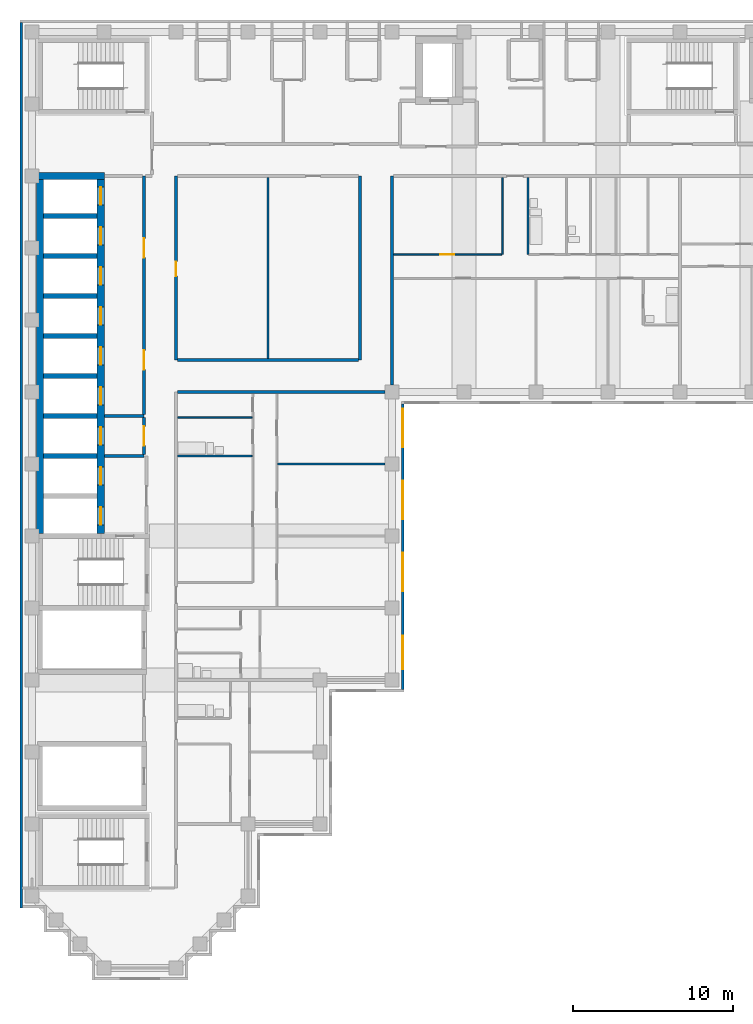
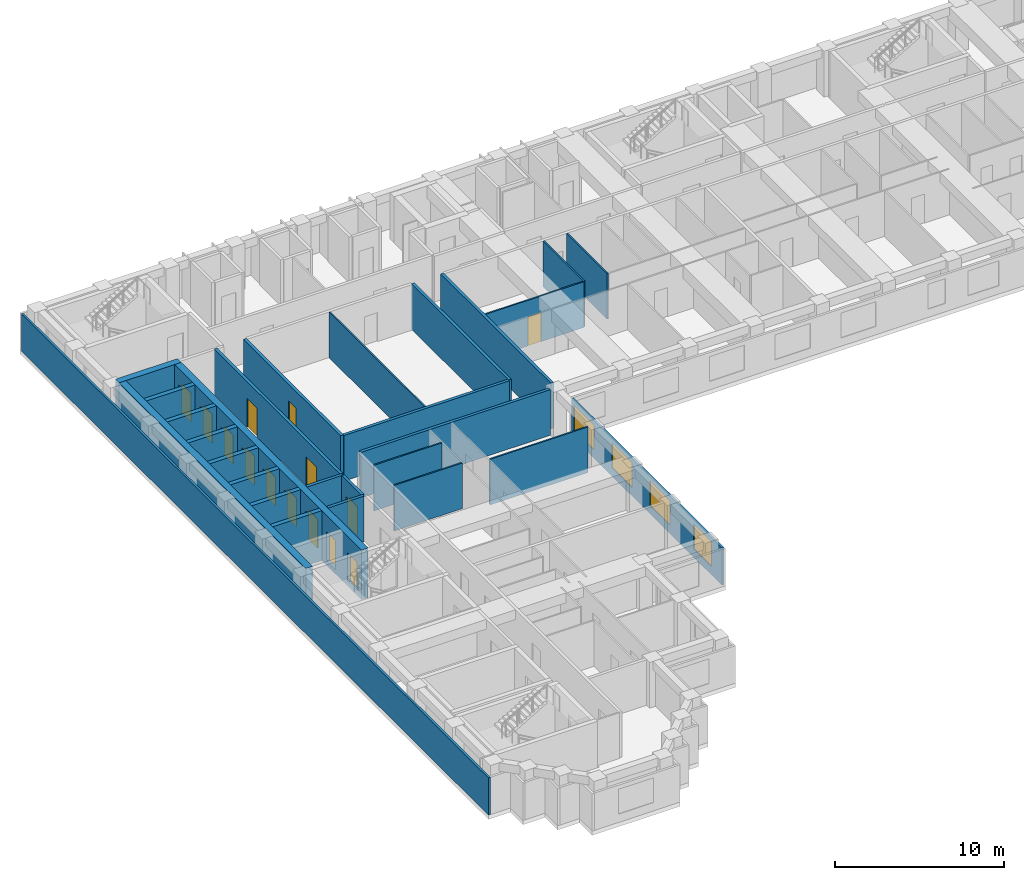
# One storey, part 4 of 11: 28 walls, 14 doors, 4 windows, 18 openings.
"""IFC4 building model written with IfcOpenShell, lengths in metres."""

from ifc_helpers import new_model, si_unit, direction, frame, frame_2d, origin, place, context, subcontext, project, spatial, rectangle, extrude, material, layer, layer_set, type_object, element, fill, save


model = new_model("IFC4")

# Units and contexts
model_context = context("Model", 3, precision=1e-05, world=origin(), true_north=direction((0.0, 1.0)))
body_context = subcontext(model_context, "Body", "Model", "MODEL_VIEW")
ifc_project = project(units=[si_unit("LENGTHUNIT", "METRE"), si_unit("AREAUNIT", "SQUARE_METRE"), si_unit("VOLUMEUNIT", "CUBIC_METRE"), si_unit("PLANEANGLEUNIT", "RADIAN"), si_unit("MASSUNIT", "GRAM", prefix="KILO")], contexts=[model_context])

# Site, building, storey
site_placement = place(None, origin())
site = spatial("IfcSite", under=ifc_project, at=site_placement, CompositionType="ELEMENT")
building_placement = place(site_placement, origin())
building = spatial("IfcBuilding", under=site, at=building_placement, Name="Firuza Court", CompositionType="ELEMENT")
storey_placement = place(building_placement, frame((0.0, 0.0, 179.0)))
storey = spatial("IfcBuildingStorey", under=building, at=storey_placement, Name="L45", CompositionType="ELEMENT", Elevation=179.0)

# Walls
ifc_material_1 = material(Name="Moisture-resistant gypsum board partition")
ifc_layer_1 = layer(ifc_material_1, 0.10009765625)
ifc_layer_set_1 = layer_set([ifc_layer_1], Name="Moisture-resistant gypsum board partition")
wall_type_1 = type_object("IfcWallType", Name="Bathroom partition 100", PredefinedType="PLUMBINGWALL", material=ifc_layer_set_1)
for number, where, z_axis, x_axis, name in (
    (1, (9.10009765625, 32.0, 0.0), (0.0, 0.0, 1.0), (1.0, 0.0, 0.0), "Bathroom partition 100 L45"),
    (2, (9.10009765625, 34.39990234375, 0.0), (0.0, 0.0, 1.0), (1.0, 0.0, 0.0), "Bathroom partition 100 L45"),
):
    element("IfcWall", number, at=place(storey_placement, frame(where, z_axis=z_axis, x_axis=x_axis)), inside=storey, type_object=wall_type_1, Name=name, PredefinedType="PLUMBINGWALL", context=body_context, shape_type="SweptSolid", body=[
        extrude(rectangle(XDim=4.64990234375, YDim=0.10009765625, at=frame_2d((2.324951171875, 0.0))), origin(), (0.0, 0.0, 1.0), 3.300048828125),
    ])
wall_1_placement = place(storey_placement, frame((31.0, 44.60009765625, 0.0), z_axis=(0.0, 0.0, 1.0), x_axis=(0.0, 1.0, 0.0)))
element("IfcWall", 3, at=wall_1_placement, inside=storey, type_object=wall_type_1, Name="Bathroom partition 100 L45", PredefinedType="PLUMBINGWALL", context=body_context, shape_type="SweptSolid", body=[
    extrude(rectangle(XDim=4.7998046875, YDim=0.10009765625, at=frame_2d((2.39990234375, 0.0))), origin(), (0.0, 0.0, 1.0), 3.300048828125),
])
ifc_material_2 = material(Name="Concrete C50/60", Category="concrete")
ifc_layer_2 = layer(ifc_material_2, 0.300048828125)
ifc_layer_set_2 = layer_set([ifc_layer_2], Name="Concrete C50/60")
wall_type_2 = type_object("IfcWallType", Name="Core wall 300 C50/60", PredefinedType="SHEAR", material=ifc_layer_set_2)
for number, where, z_axis, x_axis, name in (
    (4, (0.72509765625, 32.0, -0.300048828125), (0.0, 0.0, 1.0), (1.0, 0.0, 0.0), "Core wall lift shaft L45"),
    (5, (0.72509765625, 34.5, -0.300048828125), (0.0, 0.0, 1.0), (1.0, 0.0, 0.0), "Core wall lift shaft L45"),
    (6, (0.72509765625, 37.0, -0.300048828125), (0.0, 0.0, 1.0), (1.0, 0.0, 0.0), "Core wall lift shaft L45"),
    (7, (0.72509765625, 39.5, -0.300048828125), (0.0, 0.0, 1.0), (1.0, 0.0, 0.0), "Core wall lift shaft L45"),
    (8, (0.72509765625, 42.0, -0.300048828125), (0.0, 0.0, 1.0), (1.0, 0.0, 0.0), "Core wall lift shaft L45"),
    (9, (0.72509765625, 44.5, -0.300048828125), (0.0, 0.0, 1.0), (1.0, 0.0, 0.0), "Core wall lift shaft L45"),
    (10, (0.72509765625, 47.0, -0.300048828125), (0.0, 0.0, 1.0), (1.0, 0.0, 0.0), "Core wall lift shaft L45"),
):
    element("IfcWall", number, at=place(storey_placement, frame(where, z_axis=z_axis, x_axis=x_axis)), inside=storey, type_object=wall_type_2, Name=name, PredefinedType="SHEAR", context=body_context, shape_type="SweptSolid", body=[
        extrude(rectangle(XDim=3.349853515625, YDim=0.300048828125, at=frame_2d((1.6748046875, 0.0))), origin(), (0.0, 0.0, 1.0), 3.60009765625),
    ])
ifc_layer_3 = layer(ifc_material_2, 0.449951171875)
ifc_layer_set_3 = layer_set([ifc_layer_3], Name="Concrete C50/60")
wall_type_3 = type_object("IfcWallType", Name="Core wall 450 C50/60", PredefinedType="SHEAR", material=ifc_layer_set_3)
wall_2_placement = place(storey_placement, frame((0.27490234375, 49.5, -0.300048828125), z_axis=(0.0, 0.0, 1.0), x_axis=(1.0, 0.0, 0.0)))
element("IfcWall", 11, at=wall_2_placement, inside=storey, type_object=wall_type_3, Name="Core wall lift shaft L45", PredefinedType="SHEAR", context=body_context, shape_type="SweptSolid", body=[
    extrude(rectangle(XDim=4.25, YDim=0.449951171875, at=frame_2d((2.125, 0.0))), origin(), (0.0, 0.0, 1.0), 3.60009765625),
])
wall_3_placement = place(storey_placement, frame((0.5, 27.14990234375, -0.300048828125), z_axis=(0.0, 0.0, 1.0), x_axis=(0.0, 1.0, 0.0)))
element("IfcWall", 12, at=wall_3_placement, inside=storey, type_object=wall_type_3, Name="Core wall lift shaft L45", PredefinedType="SHEAR", context=body_context, shape_type="SweptSolid", body=[
    extrude(rectangle(XDim=22.125, YDim=0.449951171875, at=frame_2d((11.0625, 0.0))), origin(), (0.0, 0.0, 1.0), 3.60009765625),
])

# Wall, openings, doors
wall_4_placement = place(storey_placement, frame((4.300048828125, 27.14990234375, -0.300048828125), z_axis=(0.0, 0.0, 1.0), x_axis=(0.0, 1.0, 0.0)))
wall_4 = element("IfcWall", 13, at=wall_4_placement, inside=storey, type_object=wall_type_3, Name="Core wall lift shaft L45", PredefinedType="SHEAR", context=body_context, shape_type="SweptSolid", body=[
    extrude(rectangle(XDim=22.125, YDim=0.449951171875, at=frame_2d((11.0625, 0.0))), origin(), (0.0, 0.0, 1.0), 3.60009765625),
])
opening_1_placement = place(wall_4_placement, frame((3.050048828125, 0.0, 0.300048828125)))
opening_1 = element("IfcOpeningElement", 14, at=opening_1_placement, cuts=wall_4, Name="Opening LD-FL1-45", PredefinedType="OPENING", context=body_context, shape_type="SweptSolid", body=[
    extrude(rectangle(XDim=1.10009765625, YDim=2.10009765625, at=frame_2d((0.550048828125, 1.050048828125))), frame((0.0, 0.23681640625, 0.0), z_axis=(0.0, -1.0, 0.0), x_axis=(1.0, 0.0, 0.0)), (0.0, 0.0, 1.0), 0.473876953125),
])
opening_2_placement = place(wall_4_placement, frame((0.550048828125, 0.0, 0.300048828125)))
opening_2 = element("IfcOpeningElement", 15, at=opening_2_placement, cuts=wall_4, Name="Opening LD-FL2-45", PredefinedType="OPENING", context=body_context, shape_type="SweptSolid", body=[
    extrude(rectangle(XDim=1.10009765625, YDim=2.10009765625, at=frame_2d((0.550048828125, 1.050048828125))), frame((0.0, 0.23681640625, 0.0), z_axis=(0.0, -1.0, 0.0), x_axis=(1.0, 0.0, 0.0)), (0.0, 0.0, 1.0), 0.473876953125),
])
opening_3_placement = place(wall_4_placement, frame((20.550048828125, 0.0, 0.300048828125)))
opening_3 = element("IfcOpeningElement", 16, at=opening_3_placement, cuts=wall_4, Name="Opening LD-HB1-45", PredefinedType="OPENING", context=body_context, shape_type="SweptSolid", body=[
    extrude(rectangle(XDim=1.10009765625, YDim=2.10009765625, at=frame_2d((0.550048828125, 1.050048828125))), frame((0.0, 0.23681640625, 0.0), z_axis=(0.0, -1.0, 0.0), x_axis=(1.0, 0.0, 0.0)), (0.0, 0.0, 1.0), 0.473876953125),
])
opening_4_placement = place(wall_4_placement, frame((18.050048828125, 0.0, 0.300048828125)))
opening_4 = element("IfcOpeningElement", 17, at=opening_4_placement, cuts=wall_4, Name="Opening LD-HB2-45", PredefinedType="OPENING", context=body_context, shape_type="SweptSolid", body=[
    extrude(rectangle(XDim=1.10009765625, YDim=2.10009765625, at=frame_2d((0.550048828125, 1.050048828125))), frame((0.0, 0.23681640625, 0.0), z_axis=(0.0, -1.0, 0.0), x_axis=(1.0, 0.0, 0.0)), (0.0, 0.0, 1.0), 0.473876953125),
])
opening_5_placement = place(wall_4_placement, frame((15.550048828125, 0.0, 0.300048828125)))
opening_5 = element("IfcOpeningElement", 18, at=opening_5_placement, cuts=wall_4, Name="Opening LD-HB3-45", PredefinedType="OPENING", context=body_context, shape_type="SweptSolid", body=[
    extrude(rectangle(XDim=1.10009765625, YDim=2.10009765625, at=frame_2d((0.550048828125, 1.050048828125))), frame((0.0, 0.23681640625, 0.0), z_axis=(0.0, -1.0, 0.0), x_axis=(1.0, 0.0, 0.0)), (0.0, 0.0, 1.0), 0.473876953125),
])
opening_6_placement = place(wall_4_placement, frame((13.050048828125, 0.0, 0.300048828125)))
opening_6 = element("IfcOpeningElement", 19, at=opening_6_placement, cuts=wall_4, Name="Opening LD-HB4-45", PredefinedType="OPENING", context=body_context, shape_type="SweptSolid", body=[
    extrude(rectangle(XDim=1.10009765625, YDim=2.10009765625, at=frame_2d((0.550048828125, 1.050048828125))), frame((0.0, 0.23681640625, 0.0), z_axis=(0.0, -1.0, 0.0), x_axis=(1.0, 0.0, 0.0)), (0.0, 0.0, 1.0), 0.473876953125),
])
opening_7_placement = place(wall_4_placement, frame((10.550048828125, 0.0, 0.300048828125)))
opening_7 = element("IfcOpeningElement", 20, at=opening_7_placement, cuts=wall_4, Name="Opening LD-HB5-45", PredefinedType="OPENING", context=body_context, shape_type="SweptSolid", body=[
    extrude(rectangle(XDim=1.10009765625, YDim=2.10009765625, at=frame_2d((0.550048828125, 1.050048828125))), frame((0.0, 0.23681640625, 0.0), z_axis=(0.0, -1.0, 0.0), x_axis=(1.0, 0.0, 0.0)), (0.0, 0.0, 1.0), 0.473876953125),
])
opening_8_placement = place(wall_4_placement, frame((8.050048828125, 0.0, 0.300048828125)))
opening_8 = element("IfcOpeningElement", 21, at=opening_8_placement, cuts=wall_4, Name="Opening LD-HB6-45", PredefinedType="OPENING", context=body_context, shape_type="SweptSolid", body=[
    extrude(rectangle(XDim=1.10009765625, YDim=2.10009765625, at=frame_2d((0.550048828125, 1.050048828125))), frame((0.0, 0.23681640625, 0.0), z_axis=(0.0, -1.0, 0.0), x_axis=(1.0, 0.0, 0.0)), (0.0, 0.0, 1.0), 0.473876953125),
])
opening_9_placement = place(wall_4_placement, frame((5.550048828125, 0.0, 0.300048828125)))
opening_9 = element("IfcOpeningElement", 22, at=opening_9_placement, cuts=wall_4, Name="Opening LD-SL1-45", PredefinedType="OPENING", context=body_context, shape_type="SweptSolid", body=[
    extrude(rectangle(XDim=1.10009765625, YDim=2.10009765625, at=frame_2d((0.550048828125, 1.050048828125))), frame((0.0, 0.23681640625, 0.0), z_axis=(0.0, -1.0, 0.0), x_axis=(1.0, 0.0, 0.0)), (0.0, 0.0, 1.0), 0.473876953125),
])
ifc_material_3 = material(Name="Stainless steel 1.4301 door leaf", Category="steel")
door_type_1 = type_object("IfcDoorType", Name="Lift landing door 1100", OperationType="SLIDING_TO_LEFT", PredefinedType="DOOR", material=ifc_material_3)
door_1_placement = place(opening_1_placement, origin())
door_1 = element("IfcDoor", 23, at=door_1_placement, inside=storey, type_object=door_type_1, Name="Landing door FL1", OperationType="SLIDING_TO_LEFT", OverallHeight=2.10009765625, OverallWidth=1.10009765625, PredefinedType="DOOR", context=body_context, shape_type="SweptSolid", body=[
    extrude(rectangle(XDim=1.10009765625, YDim=2.10009765625, at=frame_2d((0.550048828125, 1.050048828125))), frame((0.0, 0.02490234375, 0.0), z_axis=(0.0, -1.0, 0.0), x_axis=(1.0, 0.0, 0.0)), (0.0, 0.0, 1.0), 0.050048828125),
])
fill(opening_1, door_1)
door_2_placement = place(opening_2_placement, origin())
door_2 = element("IfcDoor", 24, at=door_2_placement, inside=storey, type_object=door_type_1, Name="Landing door FL2", OperationType="SLIDING_TO_LEFT", OverallHeight=2.10009765625, OverallWidth=1.10009765625, PredefinedType="DOOR", context=body_context, shape_type="SweptSolid", body=[
    extrude(rectangle(XDim=1.10009765625, YDim=2.10009765625, at=frame_2d((0.550048828125, 1.050048828125))), frame((0.0, 0.02490234375, 0.0), z_axis=(0.0, -1.0, 0.0), x_axis=(1.0, 0.0, 0.0)), (0.0, 0.0, 1.0), 0.050048828125),
])
fill(opening_2, door_2)
door_3_placement = place(opening_3_placement, origin())
door_3 = element("IfcDoor", 25, at=door_3_placement, inside=storey, type_object=door_type_1, Name="Landing door HB1", OperationType="SLIDING_TO_LEFT", OverallHeight=2.10009765625, OverallWidth=1.10009765625, PredefinedType="DOOR", context=body_context, shape_type="SweptSolid", body=[
    extrude(rectangle(XDim=1.10009765625, YDim=2.10009765625, at=frame_2d((0.550048828125, 1.050048828125))), frame((0.0, 0.02490234375, 0.0), z_axis=(0.0, -1.0, 0.0), x_axis=(1.0, 0.0, 0.0)), (0.0, 0.0, 1.0), 0.050048828125),
])
fill(opening_3, door_3)
door_4_placement = place(opening_4_placement, origin())
door_4 = element("IfcDoor", 26, at=door_4_placement, inside=storey, type_object=door_type_1, Name="Landing door HB2", OperationType="SLIDING_TO_LEFT", OverallHeight=2.10009765625, OverallWidth=1.10009765625, PredefinedType="DOOR", context=body_context, shape_type="SweptSolid", body=[
    extrude(rectangle(XDim=1.10009765625, YDim=2.10009765625, at=frame_2d((0.550048828125, 1.050048828125))), frame((0.0, 0.02490234375, 0.0), z_axis=(0.0, -1.0, 0.0), x_axis=(1.0, 0.0, 0.0)), (0.0, 0.0, 1.0), 0.050048828125),
])
fill(opening_4, door_4)
door_5_placement = place(opening_5_placement, origin())
door_5 = element("IfcDoor", 27, at=door_5_placement, inside=storey, type_object=door_type_1, Name="Landing door HB3", OperationType="SLIDING_TO_LEFT", OverallHeight=2.10009765625, OverallWidth=1.10009765625, PredefinedType="DOOR", context=body_context, shape_type="SweptSolid", body=[
    extrude(rectangle(XDim=1.10009765625, YDim=2.10009765625, at=frame_2d((0.550048828125, 1.050048828125))), frame((0.0, 0.02490234375, 0.0), z_axis=(0.0, -1.0, 0.0), x_axis=(1.0, 0.0, 0.0)), (0.0, 0.0, 1.0), 0.050048828125),
])
fill(opening_5, door_5)
door_6_placement = place(opening_6_placement, origin())
door_6 = element("IfcDoor", 28, at=door_6_placement, inside=storey, type_object=door_type_1, Name="Landing door HB4", OperationType="SLIDING_TO_LEFT", OverallHeight=2.10009765625, OverallWidth=1.10009765625, PredefinedType="DOOR", context=body_context, shape_type="SweptSolid", body=[
    extrude(rectangle(XDim=1.10009765625, YDim=2.10009765625, at=frame_2d((0.550048828125, 1.050048828125))), frame((0.0, 0.02490234375, 0.0), z_axis=(0.0, -1.0, 0.0), x_axis=(1.0, 0.0, 0.0)), (0.0, 0.0, 1.0), 0.050048828125),
])
fill(opening_6, door_6)
door_7_placement = place(opening_7_placement, origin())
door_7 = element("IfcDoor", 29, at=door_7_placement, inside=storey, type_object=door_type_1, Name="Landing door HB5", OperationType="SLIDING_TO_LEFT", OverallHeight=2.10009765625, OverallWidth=1.10009765625, PredefinedType="DOOR", context=body_context, shape_type="SweptSolid", body=[
    extrude(rectangle(XDim=1.10009765625, YDim=2.10009765625, at=frame_2d((0.550048828125, 1.050048828125))), frame((0.0, 0.02490234375, 0.0), z_axis=(0.0, -1.0, 0.0), x_axis=(1.0, 0.0, 0.0)), (0.0, 0.0, 1.0), 0.050048828125),
])
fill(opening_7, door_7)
door_8_placement = place(opening_8_placement, origin())
door_8 = element("IfcDoor", 30, at=door_8_placement, inside=storey, type_object=door_type_1, Name="Landing door HB6", OperationType="SLIDING_TO_LEFT", OverallHeight=2.10009765625, OverallWidth=1.10009765625, PredefinedType="DOOR", context=body_context, shape_type="SweptSolid", body=[
    extrude(rectangle(XDim=1.10009765625, YDim=2.10009765625, at=frame_2d((0.550048828125, 1.050048828125))), frame((0.0, 0.02490234375, 0.0), z_axis=(0.0, -1.0, 0.0), x_axis=(1.0, 0.0, 0.0)), (0.0, 0.0, 1.0), 0.050048828125),
])
fill(opening_8, door_8)
door_9_placement = place(opening_9_placement, origin())
door_9 = element("IfcDoor", 31, at=door_9_placement, inside=storey, type_object=door_type_1, Name="Landing door SL1", OperationType="SLIDING_TO_LEFT", OverallHeight=2.10009765625, OverallWidth=1.10009765625, PredefinedType="DOOR", context=body_context, shape_type="SweptSolid", body=[
    extrude(rectangle(XDim=1.10009765625, YDim=2.10009765625, at=frame_2d((0.550048828125, 1.050048828125))), frame((0.0, 0.02490234375, 0.0), z_axis=(0.0, -1.0, 0.0), x_axis=(1.0, 0.0, 0.0)), (0.0, 0.0, 1.0), 0.050048828125),
])
fill(opening_9, door_9)

# Wall, opening, door
ifc_material_4 = material(Name="Blockwork, plastered both sides", Category="masonry")
ifc_layer_4 = layer(ifc_material_4, 0.199951171875)
ifc_layer_set_4 = layer_set([ifc_layer_4], Name="Blockwork, plastered both sides")
wall_type_4 = type_object("IfcWallType", Name="Corridor wall 200", PredefinedType="PARTITIONING", material=ifc_layer_set_4)
wall_5_placement = place(storey_placement, frame((9.0, 38.0, 0.0), z_axis=(0.0, 0.0, 1.0), x_axis=(0.0, 1.0, 0.0)))
wall_5 = element("IfcWall", 32, at=wall_5_placement, inside=storey, type_object=wall_type_4, Name="Corridor wall 200 L45", PredefinedType="PARTITIONING", context=body_context, shape_type="SweptSolid", body=[
    extrude(rectangle(XDim=11.5, YDim=0.199951171875, at=frame_2d((5.75, 0.0))), origin(), (0.0, 0.0, 1.0), 3.300048828125),
])
opening_10_placement = place(wall_5_placement, frame((5.25, 0.0, 0.0)))
opening_10 = element("IfcOpeningElement", 33, at=opening_10_placement, cuts=wall_5, Name="Opening D45036", PredefinedType="OPENING", context=body_context, shape_type="SweptSolid", body=[
    extrude(rectangle(XDim=0.89990234375, YDim=2.10009765625, at=frame_2d((0.449951171875, 1.050048828125))), frame((0.0, 0.11181640625, 0.0), z_axis=(0.0, -1.0, 0.0), x_axis=(1.0, 0.0, 0.0)), (0.0, 0.0, 1.0), 0.223876953125),
])
ifc_material_5 = material(Name="Timber door leaf in hardwood frame", Category="wood")
door_type_2 = type_object("IfcDoorType", Name="Room door 900 EI 30", OperationType="SINGLE_SWING_LEFT", PredefinedType="DOOR", material=ifc_material_5)
door_10_placement = place(opening_10_placement, origin())
door_10 = element("IfcDoor", 34, at=door_10_placement, inside=storey, type_object=door_type_2, Name="Residents' club lounge door", OperationType="SINGLE_SWING_LEFT", OverallHeight=2.10009765625, OverallWidth=0.89990234375, PredefinedType="DOOR", context=body_context, shape_type="SweptSolid", body=[
    extrude(rectangle(XDim=0.89990234375, YDim=2.10009765625, at=frame_2d((0.449951171875, 1.050048828125))), frame((0.0, 0.02490234375, 0.0), z_axis=(0.0, -1.0, 0.0), x_axis=(1.0, 0.0, 0.0)), (0.0, 0.0, 1.0), 0.050048828125),
])
fill(opening_10, door_10)

# Walls
wall_6_placement = place(storey_placement, frame((9.10009765625, 38.0, 0.0), z_axis=(0.0, 0.0, 1.0), x_axis=(1.0, 0.0, 0.0)))
element("IfcWall", 35, at=wall_6_placement, inside=storey, type_object=wall_type_4, Name="Corridor wall 200 L45", PredefinedType="PARTITIONING", context=body_context, shape_type="SweptSolid", body=[
    extrude(rectangle(XDim=11.2998046875, YDim=0.199951171875, at=frame_2d((5.64990234375, 0.0))), origin(), (0.0, 0.0, 1.0), 3.300048828125),
])
wall_7_placement = place(storey_placement, frame((20.5, 38.0, 0.0), z_axis=(0.0, 0.0, 1.0), x_axis=(0.0, 1.0, 0.0)))
element("IfcWall", 36, at=wall_7_placement, inside=storey, type_object=wall_type_4, Name="Corridor wall 200 L45", PredefinedType="PARTITIONING", context=body_context, shape_type="SweptSolid", body=[
    extrude(rectangle(XDim=11.5, YDim=0.199951171875, at=frame_2d((5.75, 0.0))), origin(), (0.0, 0.0, 1.0), 3.300048828125),
])
ifc_material_6 = material(Name="Timber stud partition, plasterboard both sides", Category="wood")
ifc_layer_5 = layer(ifc_material_6, 0.10009765625)
ifc_layer_set_5 = layer_set([ifc_layer_5], Name="Timber stud partition, plasterboard both sides")
wall_type_5 = type_object("IfcWallType", Name="Partition wall 100", PredefinedType="PARTITIONING", material=ifc_layer_set_5)
wall_8_placement = place(storey_placement, frame((15.35009765625, 31.5, 0.0), z_axis=(0.0, 0.0, 1.0), x_axis=(1.0, 0.0, 0.0)))
element("IfcWall", 37, at=wall_8_placement, inside=storey, type_object=wall_type_5, Name="Partition wall 100 L45", PredefinedType="PARTITIONING", context=body_context, shape_type="SweptSolid", body=[
    extrude(rectangle(XDim=6.699951171875, YDim=0.10009765625, at=frame_2d((3.35009765625, 0.0))), origin(), (0.0, 0.0, 1.0), 3.300048828125),
])
wall_9_placement = place(storey_placement, frame((14.75, 38.10009765625, 0.0), z_axis=(0.0, 0.0, 1.0), x_axis=(0.0, 1.0, 0.0)))
element("IfcWall", 38, at=wall_9_placement, inside=storey, type_object=wall_type_5, Name="Partition wall 100 L45", PredefinedType="PARTITIONING", context=body_context, shape_type="SweptSolid", body=[
    extrude(rectangle(XDim=11.2998046875, YDim=0.10009765625, at=frame_2d((5.64990234375, 0.0))), origin(), (0.0, 0.0, 1.0), 3.300048828125),
])

# Wall, opening, door
wall_10_placement = place(storey_placement, frame((22.60009765625, 44.60009765625, 0.0), z_axis=(0.0, 0.0, 1.0), x_axis=(1.0, 0.0, 0.0)))
wall_10 = element("IfcWall", 39, at=wall_10_placement, inside=storey, type_object=wall_type_5, Name="Partition wall 100 L45", PredefinedType="PARTITIONING", context=body_context, shape_type="SweptSolid", body=[
    extrude(rectangle(XDim=6.75, YDim=0.10009765625, at=frame_2d((3.375, 0.0))), origin(), (0.0, 0.0, 1.0), 3.300048828125),
])
opening_11_placement = place(wall_10_placement, frame((2.89990234375, 0.0, 0.0)))
opening_11 = element("IfcOpeningElement", 40, at=opening_11_placement, cuts=wall_10, Name="Opening D45050", PredefinedType="OPENING", context=body_context, shape_type="SweptSolid", body=[
    extrude(rectangle(XDim=0.89990234375, YDim=2.10009765625, at=frame_2d((0.449951171875, 1.050048828125))), frame((0.0, 0.06201171875, 0.0), z_axis=(0.0, -1.0, 0.0), x_axis=(1.0, 0.0, 0.0)), (0.0, 0.0, 1.0), 0.1240234375),
])
ifc_material_7 = material(Name="Timber door leaf in hardwood frame", Category="wood")
door_type_3 = type_object("IfcDoorType", Name="Room door 900", OperationType="SINGLE_SWING_LEFT", PredefinedType="DOOR", material=ifc_material_7)
door_11_placement = place(opening_11_placement, origin())
door_11 = element("IfcDoor", 41, at=door_11_placement, inside=storey, type_object=door_type_3, Name="Kitchen door", OperationType="SINGLE_SWING_LEFT", OverallHeight=2.10009765625, OverallWidth=0.89990234375, PredefinedType="DOOR", context=body_context, shape_type="SweptSolid", body=[
    extrude(rectangle(XDim=0.89990234375, YDim=2.10009765625, at=frame_2d((0.449951171875, 1.050048828125))), frame((0.0, 0.02490234375, 0.0), z_axis=(0.0, -1.0, 0.0), x_axis=(1.0, 0.0, 0.0)), (0.0, 0.0, 1.0), 0.050048828125),
])
fill(opening_11, door_11)

# Walls
wall_11_placement = place(storey_placement, frame((29.39990234375, 44.60009765625, 0.0), z_axis=(0.0, 0.0, 1.0), x_axis=(0.0, 1.0, 0.0)))
element("IfcWall", 42, at=wall_11_placement, inside=storey, type_object=wall_type_5, Name="Partition wall 100 L45", PredefinedType="PARTITIONING", context=body_context, shape_type="SweptSolid", body=[
    extrude(rectangle(XDim=4.7998046875, YDim=0.10009765625, at=frame_2d((2.39990234375, 0.0))), origin(), (0.0, 0.0, 1.0), 3.300048828125),
])
ifc_layer_6 = layer(ifc_material_4, 0.199951171875)
ifc_layer_set_6 = layer_set([ifc_layer_6], Name="Blockwork, plastered both sides")
wall_type_6 = type_object("IfcWallType", Name="Party wall 200", PredefinedType="PARTITIONING", material=ifc_layer_set_6)
wall_12_placement = place(storey_placement, frame((9.10009765625, 36.0, 0.0), z_axis=(0.0, 0.0, 1.0), x_axis=(1.0, 0.0, 0.0)))
element("IfcWall", 43, at=wall_12_placement, inside=storey, type_object=wall_type_6, Name="Party wall 200 L45", PredefinedType="PARTITIONING", context=body_context, shape_type="SweptSolid", body=[
    extrude(rectangle(XDim=12.949951171875, YDim=0.199951171875, at=frame_2d((6.47509765625, 0.0))), origin(), (0.0, 0.0, 1.0), 3.300048828125),
])
wall_13_placement = place(storey_placement, frame((22.5, 36.449951171875, 0.0), z_axis=(0.0, 0.0, 1.0), x_axis=(0.0, 1.0, 0.0)))
element("IfcWall", 44, at=wall_13_placement, inside=storey, type_object=wall_type_6, Name="Party wall 200 L45", PredefinedType="PARTITIONING", context=body_context, shape_type="SweptSolid", body=[
    extrude(rectangle(XDim=13.050048828125, YDim=0.199951171875, at=frame_2d((6.52490234375, 0.0))), origin(), (0.0, 0.0, 1.0), 3.300048828125),
])

# Wall, openings, windows
ifc_material_8 = material(Name="Ceramic tile", Category="ceramic")
ifc_layer_7 = layer(ifc_material_8, 0.02001953125)
ifc_material_9 = material(Name="Mineral wool insulation", Category="insulation")
ifc_layer_8 = layer(ifc_material_9, 0.050048828125)
ifc_material_10 = material(Name="Concrete C40/50 precast", Category="concrete")
ifc_layer_9 = layer(ifc_material_10, 0.080078125)
ifc_layer_set_7 = layer_set([ifc_layer_7, ifc_layer_8, ifc_layer_9], Name="Concrete C40/50 precast")
wall_type_7 = type_object("IfcWallType", Name="Precast cladding wall with turquoise TILE PANEL face 150", PredefinedType="STANDARD", material=ifc_layer_set_7)
wall_14_placement = place(storey_placement, frame((23.175048828125, 17.39990234375, 0.0), z_axis=(0.0, 0.0, 1.0), x_axis=(0.0, 1.0, 0.0)))
wall_14 = element("IfcWall", 45, at=wall_14_placement, inside=storey, type_object=wall_type_7, Name="Facade wall L45 E", PredefinedType="STANDARD", context=body_context, shape_type="SweptSolid", body=[
    extrude(rectangle(XDim=17.85009765625, YDim=0.14990234375, at=frame_2d((8.925048828125, 0.0))), origin(), (0.0, 0.0, 1.0), 2.699951171875),
])
opening_12_placement = place(wall_14_placement, frame((1.2568359375, 0.0, 0.60009765625)))
opening_12 = element("IfcOpeningElement", 46, at=opening_12_placement, cuts=wall_14, Name="Opening W6", PredefinedType="OPENING", context=body_context, shape_type="SweptSolid", body=[
    extrude(rectangle(XDim=2.10009765625, YDim=1.800048828125, at=frame_2d((1.050048828125, 0.89990234375))), frame((0.0, 0.0869140625, 0.0), z_axis=(0.0, -1.0, 0.0), x_axis=(1.0, 0.0, 0.0)), (0.0, 0.0, 1.0), 0.173828125),
])
opening_13_placement = place(wall_14_placement, frame((6.14990234375, 0.0, 0.60009765625)))
opening_13 = element("IfcOpeningElement", 47, at=opening_13_placement, cuts=wall_14, Name="Opening W1", PredefinedType="OPENING", context=body_context, shape_type="SweptSolid", body=[
    extrude(rectangle(XDim=2.39990234375, YDim=1.800048828125, at=frame_2d((1.199951171875, 0.89990234375))), frame((0.0, 0.0869140625, 0.0), z_axis=(0.0, -1.0, 0.0), x_axis=(1.0, 0.0, 0.0)), (0.0, 0.0, 1.0), 0.173828125),
])
opening_14_placement = place(wall_14_placement, frame((10.64990234375, 0.0, 0.60009765625)))
opening_14 = element("IfcOpeningElement", 48, at=opening_14_placement, cuts=wall_14, Name="Opening W1", PredefinedType="OPENING", context=body_context, shape_type="SweptSolid", body=[
    extrude(rectangle(XDim=2.39990234375, YDim=1.800048828125, at=frame_2d((1.199951171875, 0.89990234375))), frame((0.0, 0.0869140625, 0.0), z_axis=(0.0, -1.0, 0.0), x_axis=(1.0, 0.0, 0.0)), (0.0, 0.0, 1.0), 0.173828125),
])
opening_15_placement = place(wall_14_placement, frame((15.14990234375, 0.0, 0.60009765625)))
opening_15 = element("IfcOpeningElement", 49, at=opening_15_placement, cuts=wall_14, Name="Opening W1", PredefinedType="OPENING", context=body_context, shape_type="SweptSolid", body=[
    extrude(rectangle(XDim=2.39990234375, YDim=1.800048828125, at=frame_2d((1.199951171875, 0.89990234375))), frame((0.0, 0.0869140625, 0.0), z_axis=(0.0, -1.0, 0.0), x_axis=(1.0, 0.0, 0.0)), (0.0, 0.0, 1.0), 0.173828125),
])
ifc_material_11 = material(Name="Aluminium frame, triple clear glazing", Category="aluminium")
window_type_1 = type_object("IfcWindowType", Name="Window W1 2400 x 1800", PartitioningType="SINGLE_PANEL", PredefinedType="WINDOW", material=ifc_material_11)
window_1_placement = place(opening_13_placement, origin())
window_1 = element("IfcWindow", 50, at=window_1_placement, inside=storey, type_object=window_type_1, Name="Window L45", OverallHeight=1.800048828125, OverallWidth=2.39990234375, PartitioningType="SINGLE_PANEL", PredefinedType="WINDOW", context=body_context, shape_type="SweptSolid", body=[
    extrude(rectangle(XDim=2.39990234375, YDim=1.800048828125, at=frame_2d((1.199951171875, 0.89990234375))), frame((0.0, 0.030029296875, 0.0), z_axis=(0.0, -1.0, 0.0), x_axis=(1.0, 0.0, 0.0)), (0.0, 0.0, 1.0), 0.06005859375),
])
fill(opening_13, window_1)
window_2_placement = place(opening_14_placement, origin())
window_2 = element("IfcWindow", 51, at=window_2_placement, inside=storey, type_object=window_type_1, Name="Window L45", OverallHeight=1.800048828125, OverallWidth=2.39990234375, PartitioningType="SINGLE_PANEL", PredefinedType="WINDOW", context=body_context, shape_type="SweptSolid", body=[
    extrude(rectangle(XDim=2.39990234375, YDim=1.800048828125, at=frame_2d((1.199951171875, 0.89990234375))), frame((0.0, 0.030029296875, 0.0), z_axis=(0.0, -1.0, 0.0), x_axis=(1.0, 0.0, 0.0)), (0.0, 0.0, 1.0), 0.06005859375),
])
fill(opening_14, window_2)
window_3_placement = place(opening_15_placement, origin())
window_3 = element("IfcWindow", 52, at=window_3_placement, inside=storey, type_object=window_type_1, Name="Window L45", OverallHeight=1.800048828125, OverallWidth=2.39990234375, PartitioningType="SINGLE_PANEL", PredefinedType="WINDOW", context=body_context, shape_type="SweptSolid", body=[
    extrude(rectangle(XDim=2.39990234375, YDim=1.800048828125, at=frame_2d((1.199951171875, 0.89990234375))), frame((0.0, 0.030029296875, 0.0), z_axis=(0.0, -1.0, 0.0), x_axis=(1.0, 0.0, 0.0)), (0.0, 0.0, 1.0), 0.06005859375),
])
fill(opening_15, window_3)
ifc_material_12 = material(Name="Aluminium frame, triple clear glazing", Category="aluminium")
window_type_2 = type_object("IfcWindowType", Name="Window W6 2100 x 1800", PartitioningType="SINGLE_PANEL", PredefinedType="WINDOW", material=ifc_material_12)
window_4_placement = place(opening_12_placement, origin())
window_4 = element("IfcWindow", 53, at=window_4_placement, inside=storey, type_object=window_type_2, Name="Window L45", OverallHeight=1.800048828125, OverallWidth=2.10009765625, PartitioningType="SINGLE_PANEL", PredefinedType="WINDOW", context=body_context, shape_type="SweptSolid", body=[
    extrude(rectangle(XDim=2.10009765625, YDim=1.800048828125, at=frame_2d((1.050048828125, 0.89990234375))), frame((0.0, 0.030029296875, 0.0), z_axis=(0.0, -1.0, 0.0), x_axis=(1.0, 0.0, 0.0)), (0.0, 0.0, 1.0), 0.06005859375),
])
fill(opening_12, window_4)

# Walls
wall_15_placement = place(storey_placement, frame((-0.675048828125, 59.10009765625, 0.0), z_axis=(0.0, 0.0, 1.0), x_axis=(0.0, -1.0, 0.0)))
element("IfcWall", 54, at=wall_15_placement, inside=storey, type_object=wall_type_7, Name="Facade wall L45 W", PredefinedType="STANDARD", context=body_context, shape_type="SweptSolid", body=[
    extrude(rectangle(XDim=55.35009765625, YDim=0.14990234375, at=frame_2d((27.675048828125, 0.0))), origin(), (0.0, 0.0, 1.0), 2.699951171875),
])
ifc_material_13 = material(Name="Blockwork, fire-rated", Category="masonry")
ifc_layer_10 = layer(ifc_material_13, 0.199951171875)
ifc_layer_set_8 = layer_set([ifc_layer_10], Name="Blockwork, fire-rated")
wall_type_8 = type_object("IfcWallType", Name="Shaft wall 200", PredefinedType="PARTITIONING", material=ifc_layer_set_8)
wall_16_placement = place(storey_placement, frame((4.544921875, 34.5, 0.0), z_axis=(0.0, 0.0, 1.0), x_axis=(1.0, 0.0, 0.0)))
element("IfcWall", 55, at=wall_16_placement, inside=storey, type_object=wall_type_8, Name="Shaft wall 200 L45", PredefinedType="PARTITIONING", context=body_context, shape_type="SweptSolid", body=[
    extrude(rectangle(XDim=2.455078125, YDim=0.199951171875, at=frame_2d((1.2275390625, 0.0))), origin(), (0.0, 0.0, 1.0), 3.300048828125),
])

# Wall, openings, doors
wall_17_placement = place(storey_placement, frame((7.0, 34.60009765625, 0.0), z_axis=(0.0, 0.0, 1.0), x_axis=(0.0, 1.0, 0.0)))
wall_17 = element("IfcWall", 56, at=wall_17_placement, inside=storey, type_object=wall_type_8, Name="Shaft wall 200 L45", PredefinedType="PARTITIONING", context=body_context, shape_type="SweptSolid", body=[
    extrude(rectangle(XDim=14.89990234375, YDim=0.199951171875, at=frame_2d((7.449951171875, 0.0))), origin(), (0.0, 0.0, 1.0), 3.300048828125),
])
opening_16_placement = place(wall_17_placement, frame((2.800048828125, 0.0, 0.0)))
opening_16 = element("IfcOpeningElement", 57, at=opening_16_placement, cuts=wall_17, Name="Opening D45004", PredefinedType="OPENING", context=body_context, shape_type="SweptSolid", body=[
    extrude(rectangle(XDim=1.199951171875, YDim=2.10009765625, at=frame_2d((0.60009765625, 1.050048828125))), frame((0.0, 0.11181640625, 0.0), z_axis=(0.0, -1.0, 0.0), x_axis=(1.0, 0.0, 0.0)), (0.0, 0.0, 1.0), 0.223876953125),
])
opening_17_placement = place(wall_17_placement, frame((9.800048828125, 0.0, 0.0)))
opening_17 = element("IfcOpeningElement", 58, at=opening_17_placement, cuts=wall_17, Name="Opening D45005", PredefinedType="OPENING", context=body_context, shape_type="SweptSolid", body=[
    extrude(rectangle(XDim=1.199951171875, YDim=2.10009765625, at=frame_2d((0.60009765625, 1.050048828125))), frame((0.0, 0.11181640625, 0.0), z_axis=(0.0, -1.0, 0.0), x_axis=(1.0, 0.0, 0.0)), (0.0, 0.0, 1.0), 0.223876953125),
])
ifc_material_14 = material(Name="Timber door leaf in hardwood frame", Category="wood")
door_type_4 = type_object("IfcDoorType", Name="Lobby door 1200", OperationType="SINGLE_SWING_LEFT", PredefinedType="DOOR", material=ifc_material_14)
door_12_placement = place(opening_16_placement, origin())
door_12 = element("IfcDoor", 59, at=door_12_placement, inside=storey, type_object=door_type_4, Name="Lobby door", OperationType="SINGLE_SWING_LEFT", OverallHeight=2.10009765625, OverallWidth=1.199951171875, PredefinedType="DOOR", context=body_context, shape_type="SweptSolid", body=[
    extrude(rectangle(XDim=1.199951171875, YDim=2.10009765625, at=frame_2d((0.60009765625, 1.050048828125))), frame((0.0, 0.02490234375, 0.0), z_axis=(0.0, -1.0, 0.0), x_axis=(1.0, 0.0, 0.0)), (0.0, 0.0, 1.0), 0.050048828125),
])
fill(opening_16, door_12)
door_13_placement = place(opening_17_placement, origin())
door_13 = element("IfcDoor", 60, at=door_13_placement, inside=storey, type_object=door_type_4, Name="Lobby door", OperationType="SINGLE_SWING_RIGHT", OverallHeight=2.10009765625, OverallWidth=1.199951171875, PredefinedType="DOOR", context=body_context, shape_type="SweptSolid", body=[
    extrude(rectangle(XDim=1.199951171875, YDim=2.10009765625, at=frame_2d((0.60009765625, 1.050048828125))), frame((0.0, 0.02490234375, 0.0), z_axis=(0.0, -1.0, 0.0), x_axis=(1.0, 0.0, 0.0)), (0.0, 0.0, 1.0), 0.050048828125),
])
fill(opening_17, door_13)

# Wall
wall_18_placement = place(storey_placement, frame((4.544921875, 32.0, 0.0), z_axis=(0.0, 0.0, 1.0), x_axis=(1.0, 0.0, 0.0)))
element("IfcWall", 61, at=wall_18_placement, inside=storey, type_object=wall_type_8, Name="Shaft wall 200 L45", PredefinedType="PARTITIONING", context=body_context, shape_type="SweptSolid", body=[
    extrude(rectangle(XDim=2.455078125, YDim=0.199951171875, at=frame_2d((1.2275390625, 0.0))), origin(), (0.0, 0.0, 1.0), 3.300048828125),
])

# Wall, opening, door
wall_19_placement = place(storey_placement, frame((7.0, 32.10009765625, 0.0), z_axis=(0.0, 0.0, 1.0), x_axis=(0.0, 1.0, 0.0)))
wall_19 = element("IfcWall", 62, at=wall_19_placement, inside=storey, type_object=wall_type_8, Name="Shaft wall 200 L45", PredefinedType="PARTITIONING", context=body_context, shape_type="SweptSolid", body=[
    extrude(rectangle(XDim=2.2998046875, YDim=0.199951171875, at=frame_2d((1.14990234375, 0.0))), origin(), (0.0, 0.0, 1.0), 3.300048828125),
])
opening_18_placement = place(wall_19_placement, frame((0.550048828125, 0.0, 0.0)))
opening_18 = element("IfcOpeningElement", 63, at=opening_18_placement, cuts=wall_19, Name="Opening D45008", PredefinedType="OPENING", context=body_context, shape_type="SweptSolid", body=[
    extrude(rectangle(XDim=1.199951171875, YDim=2.10009765625, at=frame_2d((0.60009765625, 1.050048828125))), frame((0.0, 0.11181640625, 0.0), z_axis=(0.0, -1.0, 0.0), x_axis=(1.0, 0.0, 0.0)), (0.0, 0.0, 1.0), 0.223876953125),
])
door_14_placement = place(opening_18_placement, origin())
door_14 = element("IfcDoor", 64, at=door_14_placement, inside=storey, type_object=door_type_4, Name="Lobby door", OperationType="SINGLE_SWING_LEFT", OverallHeight=2.10009765625, OverallWidth=1.199951171875, PredefinedType="DOOR", context=body_context, shape_type="SweptSolid", body=[
    extrude(rectangle(XDim=1.199951171875, YDim=2.10009765625, at=frame_2d((0.60009765625, 1.050048828125))), frame((0.0, 0.02490234375, 0.0), z_axis=(0.0, -1.0, 0.0), x_axis=(1.0, 0.0, 0.0)), (0.0, 0.0, 1.0), 0.050048828125),
])
fill(opening_18, door_14)

save(model, "model.ifc")
